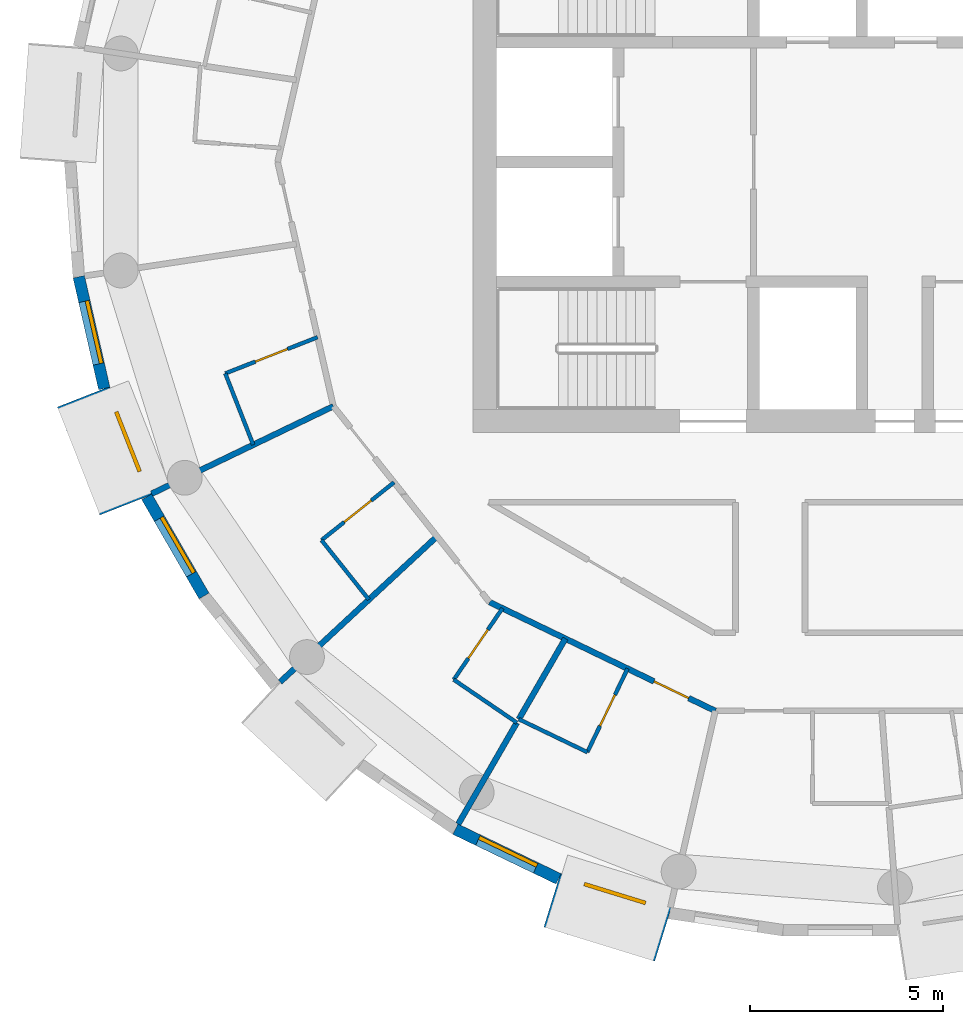
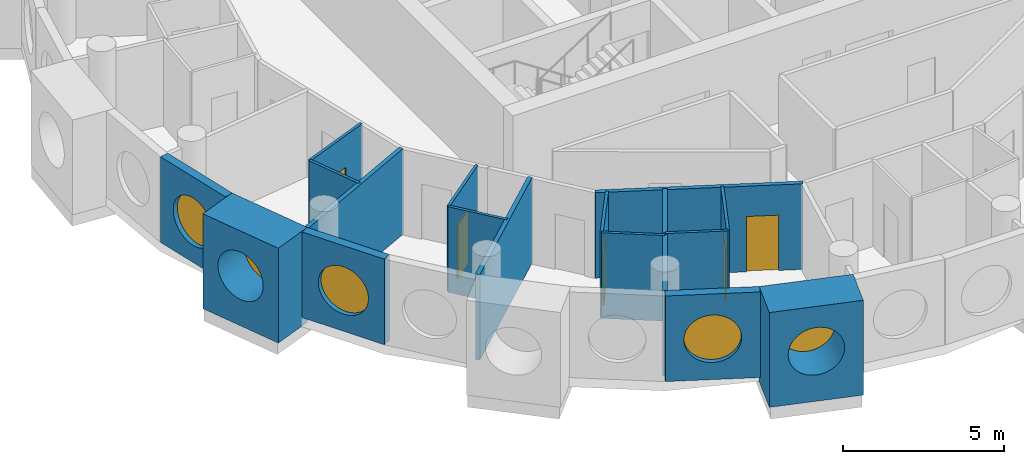
# One storey, part 2 of 12: 18 walls, 5 doors, 5 windows, 10 openings.
"""IFC4 building model written with IfcOpenShell, lengths in metres."""

import ifcopenshell
import ifcopenshell.guid

model = None  # the IFC model being written
_history = None  # IfcOwnerHistory: only IFC2X3 demands one
_inside = {}  # id of a spatial element -> (the spatial element, [elements in it])
_under = {}  # id of a project, library or spatial element -> (it, [spatial elements below it])
_declared = {}  # id of a project -> (the project, [libraries it declares])
_typed = {}  # id of a type object -> (the type object, [elements of that type])
_made_of = {}  # id of a material, layer set ... -> (it, [elements and type objects made of it])


def new_model(schema):
    """Start an empty IFC model of exactly this schema.

    Asked for "IFC4X3", IfcOpenShell would pick the latest addendum, in which some entities
    have other attributes; the version numbers below select the first issue.
    IFC2X3 requires an IfcOwnerHistory on every rooted entity: one is made here for all.
    """
    global model, _history
    if schema == "IFC4X3":
        model = ifcopenshell.file(schema_version=(4, 3, 0, 0))
    else:
        model = ifcopenshell.file(schema=schema)
    _inside.clear()
    _under.clear()
    _declared.clear()
    _typed.clear()
    _made_of.clear()
    _history = None
    if model.schema == "IFC2X3":
        org = make("IfcOrganization", Name="unknown")
        user = make(
            "IfcPersonAndOrganization",
            ThePerson=make("IfcPerson", FamilyName="unknown"),
            TheOrganization=org,
        )
        app = make(
            "IfcApplication",
            ApplicationDeveloper=org,
            Version="unknown",
            ApplicationFullName="unknown",
            ApplicationIdentifier="unknown",
        )
        _history = make(
            "IfcOwnerHistory",
            OwningUser=user,
            OwningApplication=app,
            ChangeAction="ADDED",
            CreationDate=0,
        )
    return model


def make(cls, **values):
    """One entity of the class cls with the attributes given. An attribute that is None is left unset."""
    return model.create_entity(
        cls, **{name: value for name, value in values.items() if value is not None}
    )


def rooted(cls, **values):
    """An entity with a GlobalId (a new one), such as an element, a storey or a relation."""
    return make(cls, GlobalId=ifcopenshell.guid.new(), OwnerHistory=_history, **values)


def si_unit(unit_type, name, prefix=None):
    """IfcSIUnit, for example si_unit("LENGTHUNIT", "METRE", prefix="MILLI")."""
    return make("IfcSIUnit", UnitType=unit_type, Prefix=prefix, Name=name)


def assignment(units):
    """IfcUnitAssignment: the units of a project."""
    return None if units is None else make("IfcUnitAssignment", Units=units)


def point(xyz):
    """IfcCartesianPoint."""
    return None if xyz is None else make("IfcCartesianPoint", Coordinates=xyz)


def direction(xyz):
    """IfcDirection."""
    return None if xyz is None else make("IfcDirection", DirectionRatios=xyz)


def frame(location, z_axis=None, x_axis=None):
    """IfcAxis2Placement3D, a coordinate frame: its origin and axes. An axis left out is left unset."""
    return make(
        "IfcAxis2Placement3D",
        Location=point(location),
        Axis=direction(z_axis),
        RefDirection=direction(x_axis),
    )


def frame_2d(location, x_axis=None):
    """IfcAxis2Placement2D, a coordinate frame in the plane: its origin and x axis."""
    return make(
        "IfcAxis2Placement2D", Location=point(location), RefDirection=direction(x_axis)
    )


def origin():
    """The frame at (0, 0, 0) with its axes left unset."""
    return frame((0.0, 0.0, 0.0))


def origin_2d():
    """The frame at (0, 0) in the plane with its x axis left unset."""
    return frame_2d((0.0, 0.0))


def place(relative_to, where):
    """IfcLocalPlacement: puts the frame where relative to a parent placement (None: the world)."""
    return make(
        "IfcLocalPlacement", PlacementRelTo=relative_to, RelativePlacement=where
    )


def context(
    kind, dimensions, precision=None, world=None, true_north=None, identifier=None
):
    """IfcGeometricRepresentationContext, for example the 3D "Model" context."""
    return make(
        "IfcGeometricRepresentationContext",
        ContextIdentifier=identifier,
        ContextType=kind,
        CoordinateSpaceDimension=dimensions,
        Precision=precision,
        WorldCoordinateSystem=world,
        TrueNorth=true_north,
    )


def subcontext(parent, identifier, kind, view, scale=None):
    """IfcGeometricRepresentationSubContext, for example "Body" below "Model"."""
    return make(
        "IfcGeometricRepresentationSubContext",
        ContextIdentifier=identifier,
        ContextType=kind,
        ParentContext=parent,
        TargetScale=scale,
        TargetView=view,
    )


def project(units=None, contexts=None):
    """IfcProject with its units and contexts."""
    return rooted(
        "IfcProject",
        Name="project",
        RepresentationContexts=contexts,
        UnitsInContext=assignment(units),
    )


def spatial(cls, under=None, at=None, **own):
    """A site, building, storey or space (cls), placed at a placement, below another one or the project."""
    s = rooted(cls, ObjectPlacement=at, **own)
    if under is not None:
        _under.setdefault(under.id(), (under, []))[1].append(s)
    return s


def profile(cls, at=None, kind="AREA", **sizes):
    """A parametric profile (cls). Its sizes go by their IFC names, for example OverallWidth=200.0."""
    return make(cls, ProfileType=kind, Position=at, **sizes)


def rectangle(**sizes):
    """IfcRectangleProfileDef."""
    return profile("IfcRectangleProfileDef", **sizes)


def circle(**sizes):
    """IfcCircleProfileDef."""
    return profile("IfcCircleProfileDef", **sizes)


def extrude(swept, where, along, depth):
    """IfcExtrudedAreaSolid: the profile swept, set in the frame where, extruded along a direction by depth."""
    return make(
        "IfcExtrudedAreaSolid",
        SweptArea=swept,
        Position=where,
        ExtrudedDirection=direction(along),
        Depth=depth,
    )


def shape(context_of_items, identifier, shape_type, items):
    """IfcShapeRepresentation: the items that make up one representation, for example the "Body"."""
    return make(
        "IfcShapeRepresentation",
        ContextOfItems=context_of_items,
        RepresentationIdentifier=identifier,
        RepresentationType=shape_type,
        Items=items,
    )


def material(Name=None, Category=None):
    """IfcMaterial."""
    return make("IfcMaterial", Name=Name, Category=Category)


def layer(
    of_material, thickness, ventilated=None, Name=None, Category=None, Priority=None
):
    """IfcMaterialLayer: one layer of a wall or slab, of a material (None: an air gap)."""
    return make(
        "IfcMaterialLayer",
        Material=of_material,
        LayerThickness=thickness,
        IsVentilated=ventilated,
        Name=Name,
        Category=Category,
        Priority=Priority,
    )


def layer_set(layers, Name=None):
    """IfcMaterialLayerSet."""
    return make("IfcMaterialLayerSet", MaterialLayers=layers, LayerSetName=Name)


def made_of(thing, what):
    """Note that an element or type object is made of a material, layer set ...; save() writes the relation."""
    if what is not None:
        _made_of.setdefault(what.id(), (what, []))[1].append(thing)
    return thing


def type_object(cls, material=None, **own):
    """A type object (cls), such as IfcWallType, which elements share."""
    return made_of(rooted(cls, **own), material)


def element(
    cls,
    number,
    at=None,
    inside=None,
    cuts=None,
    type_object=None,
    material=None,
    context=None,
    identifier="Body",
    shape_type=None,
    held_by="IfcProductDefinitionShape",
    body=None,
    shapes=None,
    **own,
):
    """One element of the class cls, such as IfcWall. Its Tag is "e" and its number.

    at: its placement. inside: the storey or other place that contains it. cuts: it is an
    opening in that element (IfcRelVoidsElement). A single representation is given by context,
    identifier, shape_type and body (its items); several are given by shapes. held_by: the class
    of the entity that holds the representations. save() writes the other relations.
    """
    e = rooted(cls, Tag="e%d" % number, ObjectPlacement=at, **own)
    if body is not None:
        shapes = [shape(context, identifier, shape_type, body)]
    if shapes is not None:
        e.Representation = make(held_by, Representations=shapes)
    if inside is not None:
        _inside.setdefault(inside.id(), (inside, []))[1].append(e)
    if cuts is not None:
        rooted(
            "IfcRelVoidsElement", RelatingBuildingElement=cuts, RelatedOpeningElement=e
        )
    if type_object is not None:
        _typed.setdefault(type_object.id(), (type_object, []))[1].append(e)
    return made_of(e, material)


def fill(opening, filler):
    """IfcRelFillsElement: the door or window that sits in an opening."""
    return rooted(
        "IfcRelFillsElement",
        RelatingOpeningElement=opening,
        RelatedBuildingElement=filler,
    )


def aggregate(whole, parts):
    """IfcRelAggregates: a whole, such as a stair, and the parts it consists of."""
    return rooted("IfcRelAggregates", RelatingObject=whole, RelatedObjects=parts)


def save(model, path):
    """Write the relations noted so far, then the file.

    IfcRelAggregates (storeys below a building ...), IfcRelContainedInSpatialStructure (elements
    in a storey), IfcRelDefinesByType, IfcRelAssociatesMaterial and IfcRelDeclares: one each for
    every whole, place, type object, material and project.
    """
    for whole, parts in _under.values():
        aggregate(whole, parts)
    for where, things in _inside.values():
        rooted(
            "IfcRelContainedInSpatialStructure",
            RelatedElements=things,
            RelatingStructure=where,
        )
    for kind, things in _typed.values():
        rooted("IfcRelDefinesByType", RelatedObjects=things, RelatingType=kind)
    for what, things in _made_of.values():
        rooted("IfcRelAssociatesMaterial", RelatedObjects=things, RelatingMaterial=what)
    for by, libraries in _declared.values():
        rooted("IfcRelDeclares", RelatingContext=by, RelatedDefinitions=libraries)
    model.write(path)


model = new_model("IFC4")

# Units and contexts
model_context = context("Model", 3, precision=1e-05, world=origin(), true_north=direction((0.0, 1.0)))
body_context = subcontext(model_context, "Body", "Model", "MODEL_VIEW")
ifc_project = project(units=[si_unit("LENGTHUNIT", "METRE"), si_unit("AREAUNIT", "SQUARE_METRE"), si_unit("VOLUMEUNIT", "CUBIC_METRE"), si_unit("PLANEANGLEUNIT", "RADIAN"), si_unit("MASSUNIT", "GRAM", prefix="KILO")], contexts=[model_context])

# Site, building, storey
site_placement = place(None, origin())
site = spatial("IfcSite", under=ifc_project, at=site_placement, CompositionType="ELEMENT")
building_placement = place(site_placement, origin())
building = spatial("IfcBuilding", under=site, at=building_placement, Name="Tracery Tower", CompositionType="ELEMENT")
storey_placement = place(building_placement, frame((0.0, 0.0, 291.0)))
storey = spatial("IfcBuildingStorey", under=building, at=storey_placement, Name="L75", CompositionType="ELEMENT", Elevation=291.0)

# Wall, opening, window
ifc_material_1 = material(Name="Precast concrete C50/60", Category="concrete")
ifc_layer_1 = layer(ifc_material_1, 1.449951171875)
ifc_layer_set_1 = layer_set([ifc_layer_1], Name="Deep-set bay unit 3000 x 3600, slab edge 350")
wall_type_1 = type_object("IfcWallType", Name="Deep-set bay unit 3000 x 3600, slab edge 350", PredefinedType="ELEMENTEDWALL", material=ifc_layer_set_1)
wall_1_placement = place(storey_placement, frame((-19.576171875, -6.071533203125, -0.35009765625), z_axis=(0.0, 0.0, 1.0), x_axis=(0.36537792632, -0.93085926485, 0.0)))
wall_1 = element("IfcWall", 1, at=wall_1_placement, inside=storey, type_object=wall_type_1, Name="Deep-set bay unit 24 at L75", PredefinedType="ELEMENTEDWALL", context=body_context, shape_type="SweptSolid", body=[
    extrude(rectangle(XDim=3.000244140625, YDim=1.449951171875, at=frame_2d((1.5, 0.0))), origin(), (0.0, 0.0, 1.0), 3.60009765625),
])
opening_1_placement = place(wall_1_placement, frame((1.5, 0.0, 1.89990234375)))
opening_1 = element("IfcOpeningElement", 2, at=opening_1_placement, cuts=wall_1, Name="Opening WN1", PredefinedType="OPENING", context=body_context, shape_type="SweptSolid", body=[
    extrude(circle(Radius=0.9000244140625, at=origin_2d()), frame((0.0, 0.73486328125, 0.0), z_axis=(0.0, -1.0, 0.0), x_axis=(1.0, 0.0, 0.0)), (0.0, 0.0, 1.0), 1.469970703125),
])
ifc_material_2 = material(Name="Aluminium frame with tinted double glazing", Category="aluminium")
window_type = type_object("IfcWindowType", Name="Round window 1800", PartitioningType="SINGLE_PANEL", PredefinedType="WINDOW", material=ifc_material_2)
window_1_placement = place(opening_1_placement, origin())
window_1 = element("IfcWindow", 3, at=window_1_placement, inside=storey, type_object=window_type, Name="Round window 24 at L75", OverallHeight=1.800048828125, OverallWidth=1.800048828125, PartitioningType="SINGLE_PANEL", PredefinedType="WINDOW", context=body_context, shape_type="SweptSolid", body=[
    extrude(circle(Radius=0.9000244140625, at=origin_2d()), frame((0.0, 0.69482421875, 0.0), z_axis=(0.0, -1.0, 0.0), x_axis=(1.0, 0.0, 0.0)), (0.0, 0.0, 1.0), 0.10009765625),
])
fill(opening_1, window_1)

wall_2_placement = place(storey_placement, frame((-7.45849609375, -19.0908203125, -0.35009765625), z_axis=(0.0, 0.0, 1.0), x_axis=(0.955571139978, -0.294760574774, 0.0)))
wall_2 = element("IfcWall", 4, at=wall_2_placement, inside=storey, type_object=wall_type_1, Name="Deep-set bay unit 30 at L75", PredefinedType="ELEMENTEDWALL", context=body_context, shape_type="SweptSolid", body=[
    extrude(rectangle(XDim=3.0, YDim=1.449951171875, at=frame_2d((1.5, 0.0))), origin(), (0.0, 0.0, 1.0), 3.60009765625),
])
opening_2_placement = place(wall_2_placement, frame((1.5, 0.0, 1.89990234375)))
opening_2 = element("IfcOpeningElement", 5, at=opening_2_placement, cuts=wall_2, Name="Opening WN1", PredefinedType="OPENING", context=body_context, shape_type="SweptSolid", body=[
    extrude(circle(Radius=0.9000244140625, at=origin_2d()), frame((0.0, 0.73486328125, 0.0), z_axis=(0.0, -1.0, 0.0), x_axis=(1.0, 0.0, 0.0)), (0.0, 0.0, 1.0), 1.469970703125),
])
window_2_placement = place(opening_2_placement, origin())
window_2 = element("IfcWindow", 6, at=window_2_placement, inside=storey, type_object=window_type, Name="Round window 30 at L75", OverallHeight=1.800048828125, OverallWidth=1.800048828125, PartitioningType="SINGLE_PANEL", PredefinedType="WINDOW", context=body_context, shape_type="SweptSolid", body=[
    extrude(circle(Radius=0.9000244140625, at=origin_2d()), frame((0.0, 0.69482421875, 0.0), z_axis=(0.0, -1.0, 0.0), x_axis=(1.0, 0.0, 0.0)), (0.0, 0.0, 1.0), 0.10009765625),
])
fill(opening_2, window_2)

ifc_material_3 = material(Name="Precast concrete C50/60", Category="concrete")
ifc_layer_2 = layer(ifc_material_3, 0.300048828125)
ifc_layer_set_2 = layer_set([ifc_layer_2], Name="Facade panel 3000 x 3250")
wall_type_2 = type_object("IfcWallType", Name="Facade panel 3000 x 3250", PredefinedType="SOLIDWALL", material=ifc_layer_set_2)
wall_3_placement = place(storey_placement, frame((-19.69921875, -2.96923828125, 0.0), z_axis=(0.0, 0.0, 1.0), x_axis=(0.222529389789, -0.974925982155, 0.0)))
wall_3 = element("IfcWall", 7, at=wall_3_placement, inside=storey, type_object=wall_type_2, Name="Facade panel 23 at L75", PredefinedType="SOLIDWALL", context=body_context, shape_type="SweptSolid", body=[
    extrude(rectangle(XDim=2.962158203125, YDim=0.300048828125, at=frame_2d((1.48095703125, 0.0))), origin(), (0.0, 0.0, 1.0), 3.25),
])
opening_3_placement = place(wall_3_placement, frame((1.48095703125, 0.0, 1.5498046875)))
opening_3 = element("IfcOpeningElement", 8, at=opening_3_placement, cuts=wall_3, Name="Opening WN1", PredefinedType="OPENING", context=body_context, shape_type="SweptSolid", body=[
    extrude(circle(Radius=0.9000244140625, at=origin_2d()), frame((0.0, 0.159912109375, 0.0), z_axis=(0.0, -1.0, 0.0), x_axis=(1.0, 0.0, 0.0)), (0.0, 0.0, 1.0), 0.320068359375),
])
window_3_placement = place(opening_3_placement, origin())
window_3 = element("IfcWindow", 9, at=window_3_placement, inside=storey, type_object=window_type, Name="Round window 23 at L75", OverallHeight=1.800048828125, OverallWidth=1.800048828125, PartitioningType="SINGLE_PANEL", PredefinedType="WINDOW", context=body_context, shape_type="SweptSolid", body=[
    extrude(circle(Radius=0.9000244140625, at=origin_2d()), frame((0.0, 0.1201171875, 0.0), z_axis=(0.0, -1.0, 0.0), x_axis=(1.0, 0.0, 0.0)), (0.0, 0.0, 1.0), 0.10009765625),
])
fill(opening_3, window_3)

wall_4_placement = place(storey_placement, frame((-17.941162109375, -8.656982421875, 0.0), z_axis=(0.0, 0.0, 1.0), x_axis=(0.499950756475, -0.86605383268, 0.0)))
wall_4 = element("IfcWall", 10, at=wall_4_placement, inside=storey, type_object=wall_type_2, Name="Facade panel 25 at L75", PredefinedType="SOLIDWALL", context=body_context, shape_type="SweptSolid", body=[
    extrude(rectangle(XDim=2.962158203125, YDim=0.300048828125, at=frame_2d((1.48095703125, 0.0))), origin(), (0.0, 0.0, 1.0), 3.25),
])
opening_4_placement = place(wall_4_placement, frame((1.48095703125, 0.0, 1.5498046875)))
opening_4 = element("IfcOpeningElement", 11, at=opening_4_placement, cuts=wall_4, Name="Opening WN1", PredefinedType="OPENING", context=body_context, shape_type="SweptSolid", body=[
    extrude(circle(Radius=0.9000244140625, at=origin_2d()), frame((0.0, 0.159912109375, 0.0), z_axis=(0.0, -1.0, 0.0), x_axis=(1.0, 0.0, 0.0)), (0.0, 0.0, 1.0), 0.320068359375),
])
window_4_placement = place(opening_4_placement, origin())
window_4 = element("IfcWindow", 12, at=window_4_placement, inside=storey, type_object=window_type, Name="Round window 25 at L75", OverallHeight=1.800048828125, OverallWidth=1.800048828125, PartitioningType="SINGLE_PANEL", PredefinedType="WINDOW", context=body_context, shape_type="SweptSolid", body=[
    extrude(circle(Radius=0.9000244140625, at=origin_2d()), frame((0.0, 0.1201171875, 0.0), z_axis=(0.0, -1.0, 0.0), x_axis=(1.0, 0.0, 0.0)), (0.0, 0.0, 1.0), 0.10009765625),
])
fill(opening_4, window_4)

wall_5_placement = place(storey_placement, frame((-9.9609375, -17.252685546875, 0.0), z_axis=(0.0, 0.0, 1.0), x_axis=(0.90095513435, -0.433912255978, 0.0)))
wall_5 = element("IfcWall", 13, at=wall_5_placement, inside=storey, type_object=wall_type_2, Name="Facade panel 29 at L75", PredefinedType="SOLIDWALL", context=body_context, shape_type="SweptSolid", body=[
    extrude(rectangle(XDim=2.96240234375, YDim=0.300048828125, at=frame_2d((1.481201171875, 0.0))), origin(), (0.0, 0.0, 1.0), 3.25),
])
opening_5_placement = place(wall_5_placement, frame((1.48095703125, 0.0, 1.5498046875)))
opening_5 = element("IfcOpeningElement", 14, at=opening_5_placement, cuts=wall_5, Name="Opening WN1", PredefinedType="OPENING", context=body_context, shape_type="SweptSolid", body=[
    extrude(circle(Radius=0.9000244140625, at=origin_2d()), frame((0.0, 0.159912109375, 0.0), z_axis=(0.0, -1.0, 0.0), x_axis=(1.0, 0.0, 0.0)), (0.0, 0.0, 1.0), 0.320068359375),
])
window_5_placement = place(opening_5_placement, origin())
window_5 = element("IfcWindow", 15, at=window_5_placement, inside=storey, type_object=window_type, Name="Round window 29 at L75", OverallHeight=1.800048828125, OverallWidth=1.800048828125, PartitioningType="SINGLE_PANEL", PredefinedType="WINDOW", context=body_context, shape_type="SweptSolid", body=[
    extrude(circle(Radius=0.9000244140625, at=origin_2d()), frame((0.0, 0.1201171875, 0.0), z_axis=(0.0, -1.0, 0.0), x_axis=(1.0, 0.0, 0.0)), (0.0, 0.0, 1.0), 0.10009765625),
])
fill(opening_5, window_5)

# Wall, opening, door
ifc_material_4 = material(Name="Plasterboard on steel studs", Category="steel")
ifc_layer_3 = layer(ifc_material_4, 0.10009765625)
ifc_layer_set_3 = layer_set([ifc_layer_3], Name="Partition 100 wet wall")
wall_type_3 = type_object("IfcWallType", Name="Partition 100 wet wall", PredefinedType="PARTITIONING", material=ifc_layer_set_3)
wall_6_placement = place(storey_placement, frame((-15.910888671875, -5.468017578125, 0.0), z_axis=(0.0, 0.0, 1.0), x_axis=(0.930898333543, 0.365278376867, 0.0)))
wall_6 = element("IfcWall", 16, at=wall_6_placement, inside=storey, type_object=wall_type_3, Name="Wet wall RC6-067", PredefinedType="PARTITIONING", context=body_context, shape_type="SweptSolid", body=[
    extrude(rectangle(XDim=2.565185546875, YDim=0.10009765625, at=frame_2d((1.28271484375, 0.0))), origin(), (0.0, 0.0, 1.0), 3.25),
])
opening_6_placement = place(wall_6_placement, frame((0.832275390625, 0.0, 0.0)))
opening_6 = element("IfcOpeningElement", 17, at=opening_6_placement, cuts=wall_6, Name="Opening RC6-18", PredefinedType="OPENING", context=body_context, shape_type="SweptSolid", body=[
    extrude(rectangle(XDim=0.89990234375, YDim=2.0400390625, at=frame_2d((0.449951171875, 1.02001953125))), frame((0.0, 0.050048828125, 0.0), z_axis=(0.0, -1.0, 0.0), x_axis=(1.0, 0.0, 0.0)), (0.0, 0.0, 1.0), 0.10009765625),
])
ifc_material_5 = material(Name="Timber door leaf", Category="wood")
door_type_1 = type_object("IfcDoorType", Name="Door en-suite 900", OperationType="NOTDEFINED", PredefinedType="DOOR", material=ifc_material_5)
door_1_placement = place(opening_6_placement, origin())
door_1 = element("IfcDoor", 18, at=door_1_placement, inside=storey, type_object=door_type_1, Name="En-suite door RC6-18", OperationType="SINGLE_SWING_RIGHT", OverallHeight=2.0400390625, OverallWidth=0.89990234375, PredefinedType="DOOR", context=body_context, shape_type="SweptSolid", body=[
    extrude(rectangle(XDim=0.89990234375, YDim=2.0400390625, at=frame_2d((0.449951171875, 1.02001953125))), frame((0.0, 0.02490234375, 0.0), z_axis=(0.0, -1.0, 0.0), x_axis=(1.0, 0.0, 0.0)), (0.0, 0.0, 1.0), 0.050048828125),
])
fill(opening_6, door_1)

# Wall
wall_7_placement = place(storey_placement, frame((-15.910888671875, -5.468017578125, 0.0), z_axis=(0.0, 0.0, 1.0), x_axis=(0.36507706633, -0.930977301356, 0.0)))
element("IfcWall", 19, at=wall_7_placement, inside=storey, type_object=wall_type_3, Name="Wet wall RC6-068", PredefinedType="PARTITIONING", context=body_context, shape_type="SweptSolid", body=[
    extrude(rectangle(XDim=1.98291015625, YDim=0.10009765625, at=frame_2d((0.991455078125, 0.0))), origin(), (0.0, 0.0, 1.0), 3.25),
])

# Wall, opening, door
wall_8_placement = place(storey_placement, frame((-13.422119140625, -9.780029296875, 0.0), z_axis=(0.0, 0.0, 1.0), x_axis=(0.781860394524, 0.623453545562, 0.0)))
wall_8 = element("IfcWall", 20, at=wall_8_placement, inside=storey, type_object=wall_type_3, Name="Wet wall RC6-070", PredefinedType="PARTITIONING", context=body_context, shape_type="SweptSolid", body=[
    extrude(rectangle(XDim=2.399658203125, YDim=0.10009765625, at=frame_2d((1.19970703125, 0.0))), origin(), (0.0, 0.0, 1.0), 3.25),
])
opening_7_placement = place(wall_8_placement, frame((0.74951171875, 0.0, 0.0)))
opening_7 = element("IfcOpeningElement", 21, at=opening_7_placement, cuts=wall_8, Name="Opening RC6-20", PredefinedType="OPENING", context=body_context, shape_type="SweptSolid", body=[
    extrude(rectangle(XDim=0.89990234375, YDim=2.0400390625, at=frame_2d((0.449951171875, 1.02001953125))), frame((0.0, 0.050048828125, 0.0), z_axis=(0.0, -1.0, 0.0), x_axis=(1.0, 0.0, 0.0)), (0.0, 0.0, 1.0), 0.10009765625),
])
door_2_placement = place(opening_7_placement, origin())
door_2 = element("IfcDoor", 22, at=door_2_placement, inside=storey, type_object=door_type_1, Name="En-suite door RC6-20", OperationType="SINGLE_SWING_RIGHT", OverallHeight=2.0400390625, OverallWidth=0.89990234375, PredefinedType="DOOR", context=body_context, shape_type="SweptSolid", body=[
    extrude(rectangle(XDim=0.89990234375, YDim=2.0400390625, at=frame_2d((0.449951171875, 1.02001953125))), frame((0.0, 0.02490234375, 0.0), z_axis=(0.0, -1.0, 0.0), x_axis=(1.0, 0.0, 0.0)), (0.0, 0.0, 1.0), 0.050048828125),
])
fill(opening_7, door_2)

# Wall
wall_9_placement = place(storey_placement, frame((-13.422119140625, -9.780029296875, 0.0), z_axis=(0.0, 0.0, 1.0), x_axis=(0.623330716607, -0.781958322249, 0.0)))
element("IfcWall", 23, at=wall_9_placement, inside=storey, type_object=wall_type_3, Name="Wet wall RC6-071", PredefinedType="PARTITIONING", context=body_context, shape_type="SweptSolid", body=[
    extrude(rectangle(XDim=1.96533203125, YDim=0.10009765625, at=frame_2d((0.982666015625, 0.0))), origin(), (0.0, 0.0, 1.0), 3.25),
])

# Wall, opening, door
wall_10_placement = place(storey_placement, frame((-10.001953125, -13.386962890625, 0.0), z_axis=(0.0, 0.0, 1.0), x_axis=(0.563469042551, 0.826137178734, 0.0)))
wall_10 = element("IfcWall", 24, at=wall_10_placement, inside=storey, type_object=wall_type_3, Name="Wet wall RC6-073", PredefinedType="PARTITIONING", context=body_context, shape_type="SweptSolid", body=[
    extrude(rectangle(XDim=2.234375, YDim=0.10009765625, at=frame_2d((1.1171875, 0.0))), origin(), (0.0, 0.0, 1.0), 3.25),
])
opening_8_placement = place(wall_10_placement, frame((0.66748046875, 0.0, 0.0)))
opening_8 = element("IfcOpeningElement", 25, at=opening_8_placement, cuts=wall_10, Name="Opening RC6-22", PredefinedType="OPENING", context=body_context, shape_type="SweptSolid", body=[
    extrude(rectangle(XDim=0.89990234375, YDim=2.0400390625, at=frame_2d((0.449951171875, 1.02001953125))), frame((0.0, 0.050048828125, 0.0), z_axis=(0.0, -1.0, 0.0), x_axis=(1.0, 0.0, 0.0)), (0.0, 0.0, 1.0), 0.10009765625),
])
door_3_placement = place(opening_8_placement, origin())
door_3 = element("IfcDoor", 26, at=door_3_placement, inside=storey, type_object=door_type_1, Name="En-suite door RC6-22", OperationType="SINGLE_SWING_LEFT", OverallHeight=2.0400390625, OverallWidth=0.89990234375, PredefinedType="DOOR", context=body_context, shape_type="SweptSolid", body=[
    extrude(rectangle(XDim=0.89990234375, YDim=2.0400390625, at=frame_2d((0.449951171875, 1.02001953125))), frame((0.0, 0.02490234375, 0.0), z_axis=(0.0, -1.0, 0.0), x_axis=(1.0, 0.0, 0.0)), (0.0, 0.0, 1.0), 0.050048828125),
])
fill(opening_8, door_3)

# Walls
wall_11_placement = place(storey_placement, frame((-10.001953125, -13.386962890625, 0.0), z_axis=(0.0, 0.0, 1.0), x_axis=(0.82620117489, -0.563375202339, 0.0)))
element("IfcWall", 27, at=wall_11_placement, inside=storey, type_object=wall_type_3, Name="Wet wall RC6-074", PredefinedType="PARTITIONING", context=body_context, shape_type="SweptSolid", body=[
    extrude(rectangle(XDim=1.973876953125, YDim=0.10009765625, at=frame_2d((0.98681640625, 0.0))), origin(), (0.0, 0.0, 1.0), 3.25),
])
wall_12_placement = place(storey_placement, frame((-8.319091796875, -14.408935546875, 0.0), z_axis=(0.0, 0.0, 1.0), x_axis=(0.900936932599, -0.433950047216, 0.0)))
element("IfcWall", 28, at=wall_12_placement, inside=storey, type_object=wall_type_3, Name="Wet wall RC6-077", PredefinedType="PARTITIONING", context=body_context, shape_type="SweptSolid", body=[
    extrude(rectangle(XDim=1.9658203125, YDim=0.10009765625, at=frame_2d((0.98291015625, 0.0))), origin(), (0.0, 0.0, 1.0), 3.25),
])

# Wall, opening, door
wall_13_placement = place(storey_placement, frame((-6.548095703125, -15.261962890625, 0.0), z_axis=(0.0, 0.0, 1.0), x_axis=(0.433855388624, 0.900982520231, 0.0)))
wall_13 = element("IfcWall", 29, at=wall_13_placement, inside=storey, type_object=wall_type_3, Name="Wet wall RC6-078", PredefinedType="PARTITIONING", context=body_context, shape_type="SweptSolid", body=[
    extrude(rectangle(XDim=2.3994140625, YDim=0.10009765625, at=frame_2d((1.19970703125, 0.0))), origin(), (0.0, 0.0, 1.0), 3.25),
])
opening_9_placement = place(wall_13_placement, frame((0.75, 0.0, 0.0)))
opening_9 = element("IfcOpeningElement", 30, at=opening_9_placement, cuts=wall_13, Name="Opening RC6-24", PredefinedType="OPENING", context=body_context, shape_type="SweptSolid", body=[
    extrude(rectangle(XDim=0.89990234375, YDim=2.0400390625, at=frame_2d((0.449951171875, 1.02001953125))), frame((0.0, 0.050048828125, 0.0), z_axis=(0.0, -1.0, 0.0), x_axis=(1.0, 0.0, 0.0)), (0.0, 0.0, 1.0), 0.10009765625),
])
door_4_placement = place(opening_9_placement, origin())
door_4 = element("IfcDoor", 31, at=door_4_placement, inside=storey, type_object=door_type_1, Name="En-suite door RC6-24", OperationType="SINGLE_SWING_RIGHT", OverallHeight=2.0400390625, OverallWidth=0.89990234375, PredefinedType="DOOR", context=body_context, shape_type="SweptSolid", body=[
    extrude(rectangle(XDim=0.89990234375, YDim=2.0400390625, at=frame_2d((0.449951171875, 1.02001953125))), frame((0.0, 0.02490234375, 0.0), z_axis=(0.0, -1.0, 0.0), x_axis=(1.0, 0.0, 0.0)), (0.0, 0.0, 1.0), 0.050048828125),
])
fill(opening_9, door_4)

# Walls
ifc_material_6 = material(Name="Plasterboard on steel studs", Category="steel")
ifc_layer_4 = layer(ifc_material_6, 0.14990234375)
ifc_layer_set_4 = layer_set([ifc_layer_4], Name="Partition 150 acoustic unit wall")
wall_type_4 = type_object("IfcWallType", Name="Partition 150 acoustic unit wall", PredefinedType="PARTITIONING", material=ifc_layer_set_4)
wall_14_placement = place(storey_placement, frame((-17.81298828125, -8.577880859375, 0.0), z_axis=(0.0, 0.0, 1.0), x_axis=(0.901049790108, 0.433715662325, 0.0)))
element("IfcWall", 32, at=wall_14_placement, inside=storey, type_object=wall_type_4, Name="Unit wall RC6-069", PredefinedType="PARTITIONING", context=body_context, shape_type="SweptSolid", body=[
    extrude(rectangle(XDim=5.214111328125, YDim=0.14990234375, at=frame_2d((2.60693359375, 0.0))), origin(), (0.0, 0.0, 1.0), 3.25),
])
wall_15_placement = place(storey_placement, frame((-14.492919921875, -13.447998046875, 0.0), z_axis=(0.0, 0.0, 1.0), x_axis=(0.73295202722, 0.68028032883, 0.0)))
element("IfcWall", 33, at=wall_15_placement, inside=storey, type_object=wall_type_4, Name="Unit wall RC6-072", PredefinedType="PARTITIONING", context=body_context, shape_type="SweptSolid", body=[
    extrude(rectangle(XDim=5.5390625, YDim=0.14990234375, at=frame_2d((2.76953125, 0.0))), origin(), (0.0, 0.0, 1.0), 3.25),
])
wall_16_placement = place(storey_placement, frame((-9.885986328125, -17.1220703125, 0.0), z_axis=(0.0, 0.0, 1.0), x_axis=(0.500117793536, 0.865957384972, 0.0)))
element("IfcWall", 34, at=wall_16_placement, inside=storey, type_object=wall_type_4, Name="Unit wall RC6-075", PredefinedType="PARTITIONING", context=body_context, shape_type="SweptSolid", body=[
    extrude(rectangle(XDim=3.029052734375, YDim=0.14990234375, at=frame_2d((1.5146484375, 0.0))), origin(), (0.0, 0.0, 1.0), 3.25),
])
wall_17_placement = place(storey_placement, frame((-8.321044921875, -14.412109375, 0.0), z_axis=(0.0, 0.0, 1.0), x_axis=(0.500017667814, 0.866015203027, 0.0)))
element("IfcWall", 35, at=wall_17_placement, inside=storey, type_object=wall_type_4, Name="Unit wall RC6-076", PredefinedType="PARTITIONING", context=body_context, shape_type="SweptSolid", body=[
    extrude(rectangle(XDim=2.41015625, YDim=0.14990234375, at=frame_2d((1.205078125, 0.0))), origin(), (0.0, 0.0, 1.0), 3.25),
])

# Wall, opening, door
ifc_material_7 = material(Name="Plasterboard on steel studs", Category="steel")
ifc_layer_5 = layer(ifc_material_7, 0.14990234375)
ifc_layer_set_5 = layer_set([ifc_layer_5], Name="Partition 150 corridor wall")
wall_type_5 = type_object("IfcWallType", Name="Partition 150 corridor wall", PredefinedType="PARTITIONING", material=ifc_layer_set_5)
wall_18_placement = place(storey_placement, frame((-9.075927734375, -11.381103515625, 0.0), z_axis=(0.0, 0.0, 1.0), x_axis=(0.900778421649, -0.434278983018, 0.0)))
wall_18 = element("IfcWall", 36, at=wall_18_placement, inside=storey, type_object=wall_type_5, Name="Corridor wall RC6-042", PredefinedType="PARTITIONING", context=body_context, shape_type="SweptSolid", body=[
    extrude(rectangle(XDim=6.478515625, YDim=0.14990234375, at=frame_2d((3.2392578125, 0.0))), origin(), (0.0, 0.0, 1.0), 3.25),
])
opening_10_placement = place(wall_18_placement, frame((4.718505859375, 0.0, 0.0)))
opening_10 = element("IfcOpeningElement", 37, at=opening_10_placement, cuts=wall_18, Name="Opening RC6-25", PredefinedType="OPENING", context=body_context, shape_type="SweptSolid", body=[
    extrude(rectangle(XDim=1.0, YDim=2.10009765625, at=frame_2d((0.5, 1.050048828125))), frame((0.0, 0.074951171875, 0.0), z_axis=(0.0, -1.0, 0.0), x_axis=(1.0, 0.0, 0.0)), (0.0, 0.0, 1.0), 0.14990234375),
])
ifc_material_8 = material(Name="Timber door leaf", Category="wood")
door_type_2 = type_object("IfcDoorType", Name="Door unit entrance 1000", OperationType="NOTDEFINED", PredefinedType="DOOR", material=ifc_material_8)
door_5_placement = place(opening_10_placement, origin())
door_5 = element("IfcDoor", 38, at=door_5_placement, inside=storey, type_object=door_type_2, Name="Unit entrance door RC6-25", OperationType="SINGLE_SWING_LEFT", OverallHeight=2.10009765625, OverallWidth=1.0, PredefinedType="DOOR", context=body_context, shape_type="SweptSolid", body=[
    extrude(rectangle(XDim=1.0, YDim=2.10009765625, at=frame_2d((0.5, 1.050048828125))), frame((0.0, 0.02490234375, 0.0), z_axis=(0.0, -1.0, 0.0), x_axis=(1.0, 0.0, 0.0)), (0.0, 0.0, 1.0), 0.050048828125),
])
fill(opening_10, door_5)

save(model, "model.ifc")
